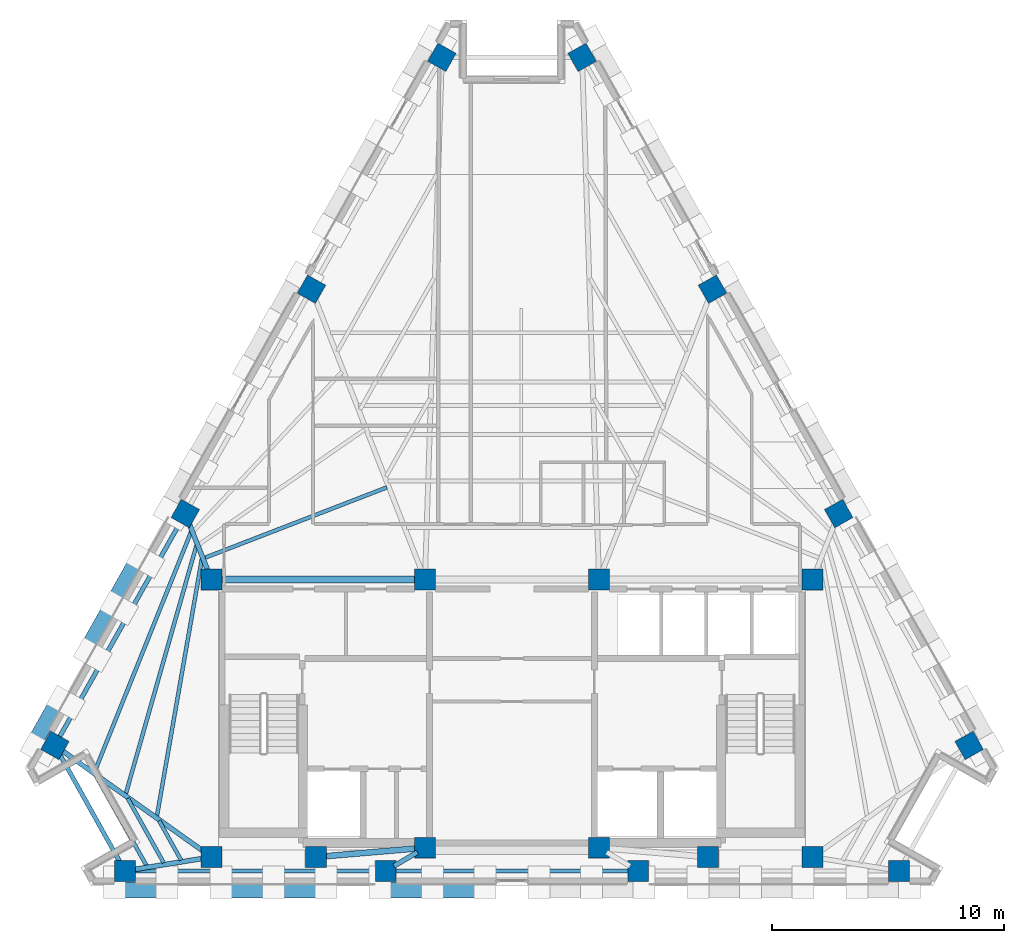
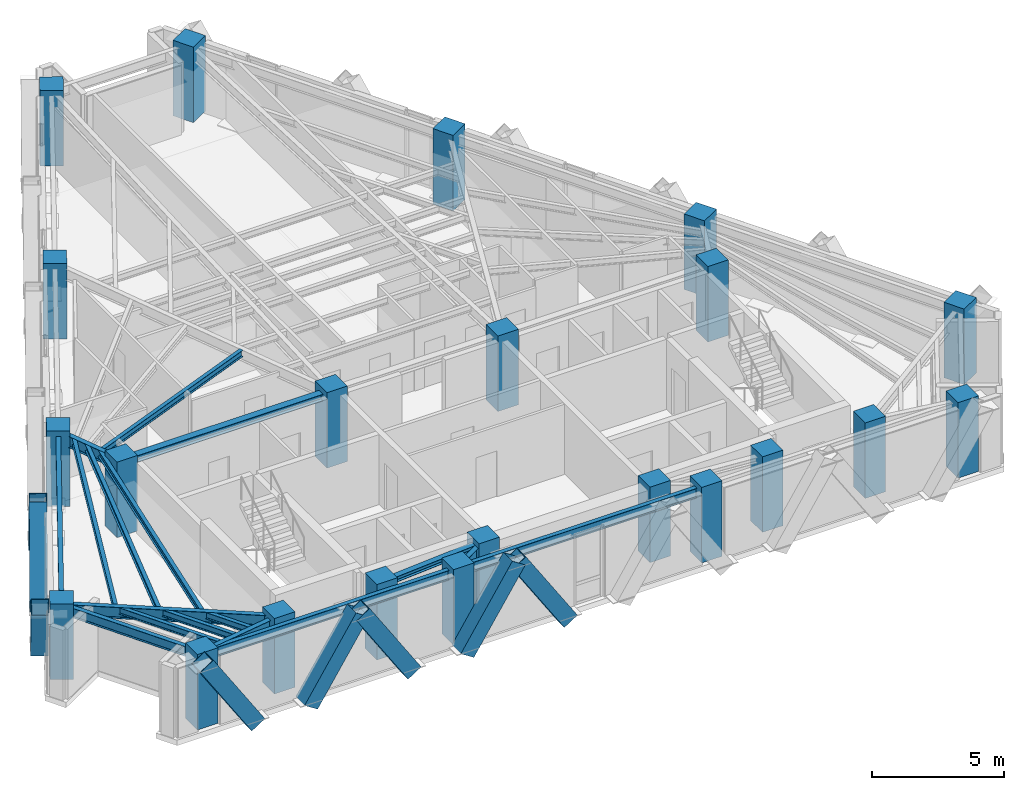
# One storey, part 1 of 12: 22 columns, 17 beams, 8 members.
"""IFC4 building model written with IfcOpenShell, lengths in metres."""

from ifc_helpers import new_model, si_unit, direction, frame, origin, origin_2d, place, context, subcontext, project, spatial, rectangle, hollow_rectangle, i_section, extrude, material, material_profile, profile_set, type_object, element, save


model = new_model("IFC4")

# Units and contexts
model_context = context("Model", 3, precision=1e-05, world=origin(), true_north=direction((0.0, 1.0)))
body_context = subcontext(model_context, "Body", "Model", "MODEL_VIEW")
ifc_project = project(units=[si_unit("LENGTHUNIT", "METRE"), si_unit("AREAUNIT", "SQUARE_METRE"), si_unit("VOLUMEUNIT", "CUBIC_METRE"), si_unit("PLANEANGLEUNIT", "RADIAN"), si_unit("MASSUNIT", "GRAM", prefix="KILO")], contexts=[model_context])

# Site, building, storey
site_placement = place(None, origin())
site = spatial("IfcSite", under=ifc_project, at=site_placement, CompositionType="ELEMENT")
building_placement = place(site_placement, origin())
building = spatial("IfcBuilding", under=site, at=building_placement, Name="Quenlor Broadcast Tower", CompositionType="ELEMENT")
storey_placement = place(building_placement, frame((0.0, 0.0, 218.39990234375)))
storey = spatial("IfcBuildingStorey", under=building, at=storey_placement, Name="L60", CompositionType="ELEMENT", Elevation=218.39990234375)

# Columns
ifc_material_1 = material(Name="Concrete C50/60", Category="concrete")
ifc_material_profile_1 = material_profile(ifc_material_1, rectangle(XDim=0.89990234375, YDim=0.89990234375, at=origin_2d()))
ifc_profile_set_1 = profile_set([ifc_material_profile_1], Name="Concrete C50/60 RC900x900")
column_type_1 = type_object("IfcColumnType", Name="Core Corner Column Upper Concrete C50/60 900", PredefinedType="COLUMN", material=ifc_profile_set_1)
for number, where, z_axis, x_axis, name in (
    (1, (-12.949951171875, -16.75, 0.0), (0.0, 0.0, 1.0), (1.0, 0.0, 0.0), "L60 Core Column CC1"),
    (2, (-8.449951171875, -16.75, 0.0), (0.0, 0.0, 1.0), (1.0, 0.0, 0.0), "L60 Core Column CC2"),
    (3, (-3.75, -16.35009765625, 0.0), (0.0, 0.0, 1.0), (1.0, 0.0, 0.0), "L60 Core Column CC3"),
    (4, (3.75, -16.35009765625, 0.0), (0.0, 0.0, 1.0), (1.0, 0.0, 0.0), "L60 Core Column CC4"),
    (5, (8.449951171875, -16.75, 0.0), (0.0, 0.0, 1.0), (1.0, 0.0, 0.0), "L60 Core Column CC5"),
    (6, (12.949951171875, -16.75, 0.0), (0.0, 0.0, 1.0), (1.0, 0.0, 0.0), "L60 Core Column CC6"),
    (7, (-12.949951171875, -4.800048828125, 0.0), (0.0, 0.0, 1.0), (1.0, 0.0, 0.0), "L60 Core Column CC7"),
    (8, (-3.75, -4.800048828125, 0.0), (0.0, 0.0, 1.0), (1.0, 0.0, 0.0), "L60 Core Column CC8"),
    (9, (3.75, -4.800048828125, 0.0), (0.0, 0.0, 1.0), (1.0, 0.0, 0.0), "L60 Core Column CC9"),
    (10, (12.949951171875, -4.800048828125, 0.0), (0.0, 0.0, 1.0), (1.0, 0.0, 0.0), "L60 Core Column CC10"),
):
    element("IfcColumn", number, at=place(storey_placement, frame(where, z_axis=z_axis, x_axis=x_axis)), inside=storey, type_object=column_type_1, Name=name, PredefinedType="COLUMN", context=body_context, shape_type="SweptSolid", body=[
        extrude(rectangle(XDim=0.89990234375, YDim=0.89990234375, at=origin_2d()), origin(), (0.0, 0.0, 1.0), 3.5),
    ])
ifc_material_2 = material(Name="Concrete C50/60", Category="concrete")
ifc_material_profile_2 = material_profile(ifc_material_2, rectangle(XDim=0.89990234375, YDim=0.89990234375, at=origin_2d()))
ifc_profile_set_2 = profile_set([ifc_material_profile_2], Name="Concrete C50/60 RC900x900")
column_type_2 = type_object("IfcColumnType", Name="Tower Perimeter Column Z4 Concrete C50/60 900", PredefinedType="COLUMN", material=ifc_profile_set_2)
for number, where, z_axis, x_axis, name in (
    (11, (-16.67578125, -17.35009765625, 0.0), (0.0, 0.0, 1.0), (0.0, 1.0, 0.0), "L60 Perimeter Column S1"),
    (12, (-5.437744140625, -17.35009765625, 0.0), (0.0, 0.0, 1.0), (0.0, 1.0, 0.0), "L60 Perimeter Column S2"),
    (13, (5.437744140625, -17.35009765625, 0.0), (0.0, 0.0, 1.0), (0.0, 1.0, 0.0), "L60 Perimeter Column S3"),
    (14, (16.67578125, -17.35009765625, 0.0), (0.0, 0.0, 1.0), (0.0, 1.0, 0.0), "L60 Perimeter Column S4"),
    (15, (19.696533203125, -11.941650390625, 0.0), (0.0, 0.0, 1.0), (0.871575139605, 0.490261946333, 0.0), "L60 Perimeter Column NE1"),
    (16, (14.077392578125, -1.952392578125, 0.0), (0.0, 0.0, 1.0), (0.871575139605, 0.490261946333, 0.0), "L60 Perimeter Column NE2"),
    (17, (8.6396484375, 7.71484375, 0.0), (0.0, 0.0, 1.0), (0.871575139605, 0.490261946333, 0.0), "L60 Perimeter Column NE3"),
    (18, (3.0205078125, 17.704345703125, 0.0), (0.0, 0.0, 1.0), (0.871575139605, 0.490261946333, 0.0), "L60 Perimeter Column NE4"),
    (19, (-3.0205078125, 17.704345703125, 0.0), (0.0, 0.0, 1.0), (-0.871575139605, 0.490261946333, 0.0), "L60 Perimeter Column NW1"),
    (20, (-8.6396484375, 7.71484375, 0.0), (0.0, 0.0, 1.0), (-0.871575139605, 0.490261946333, 0.0), "L60 Perimeter Column NW2"),
    (21, (-14.077392578125, -1.952392578125, 0.0), (0.0, 0.0, 1.0), (-0.871575139605, 0.490261946333, 0.0), "L60 Perimeter Column NW3"),
    (22, (-19.696533203125, -11.941650390625, 0.0), (0.0, 0.0, 1.0), (-0.871575139605, 0.490261946333, 0.0), "L60 Perimeter Column NW4"),
):
    element("IfcColumn", number, at=place(storey_placement, frame(where, z_axis=z_axis, x_axis=x_axis)), inside=storey, type_object=column_type_2, Name=name, PredefinedType="COLUMN", context=body_context, shape_type="SweptSolid", body=[
        extrude(rectangle(XDim=0.89990234375, YDim=0.89990234375, at=origin_2d()), origin(), (0.0, 0.0, 1.0), 3.5),
    ])

# Beams
ifc_material_3 = material(Name="Steel S355", Category="steel")
ifc_material_profile_3 = material_profile(ifc_material_3, i_section(OverallWidth=0.25390625, OverallDepth=0.25390625, WebThickness=0.008544921875, FlangeThickness=0.01416015625, FilletRadius=0.013916015625, at=origin_2d()))
ifc_profile_set_3 = profile_set([ifc_material_profile_3], Name="Steel S355 250UC72.9")
beam_type_1 = type_object("IfcBeamType", Name="Core Opening Lintel Beam Steel S355 250UC72.9", PredefinedType="LINTEL", material=ifc_profile_set_3)
beam_1_placement = place(storey_placement, frame((-8.09130859375, -16.719482421875, 3.123291015625), z_axis=(0.996399763903, 0.084779186679, 0.0), x_axis=(-0.084779186679, 0.996399763903, 0.0)))
element("IfcBeam", 23, at=beam_1_placement, inside=storey, type_object=beam_type_1, Name="L60 Core Opening Lintel Beam 4", PredefinedType="LINTEL", context=body_context, shape_type="SweptSolid", body=[
    extrude(i_section(OverallWidth=0.25390625, OverallDepth=0.25390625, WebThickness=0.008544921875, FlangeThickness=0.01416015625, FilletRadius=0.013916015625, at=origin_2d()), origin(), (0.0, 0.0, 1.0), 3.9970703125),
])
ifc_material_4 = material(Name="Steel S355", Category="steel")
ifc_material_profile_4 = material_profile(ifc_material_4, i_section(OverallWidth=0.306884765625, OverallDepth=0.314697265625, WebThickness=0.011962890625, FlangeThickness=0.018798828125, FilletRadius=0.0166015625, at=origin_2d()))
ifc_profile_set_4 = profile_set([ifc_material_profile_4], Name="Steel S355 310UC118")
beam_type_2 = type_object("IfcBeamType", Name="Core Tie Beam Steel S355 310UC118", PredefinedType="BEAM", material=ifc_profile_set_4)
beam_2_placement = place(storey_placement, frame((-12.590087890625, -4.800048828125, 3.0927734375), z_axis=(1.0, 0.0, 0.0), x_axis=(0.0, 1.0, 0.0)))
element("IfcBeam", 24, at=beam_2_placement, inside=storey, type_object=beam_type_2, Name="L60 Core Tie Beam 1", PredefinedType="BEAM", context=body_context, shape_type="SweptSolid", body=[
    extrude(i_section(OverallWidth=0.306884765625, OverallDepth=0.314697265625, WebThickness=0.011962890625, FlangeThickness=0.018798828125, FilletRadius=0.0166015625, at=origin_2d()), origin(), (0.0, 0.0, 1.0), 8.47998046875),
])

# Members
ifc_material_5 = material(Name="Steel S355", Category="steel")
ifc_material_profile_5 = material_profile(ifc_material_5, hollow_rectangle(XDim=0.679931640625, YDim=0.679931640625, WallThickness=0.02490234375, at=origin_2d()))
ifc_profile_set_5 = profile_set([ifc_material_profile_5], Name="Steel S355 RHS680x680x25")
member_type = type_object("IfcMemberType", Name="Perimeter Diagonal Lattice Brace Z3-Z4 Steel S355 RHS680x25", PredefinedType="BRACE", material=ifc_profile_set_5)
for number, where, z_axis, x_axis, name in (
    (25, (-1.155517578125, -18.169921875, -0.119873046875), (-0.541794306908, 0.0, 0.840511111766), (0.0, -1.0, 0.0), "L60 Perimeter Diamond Lattice S-C3S"),
    (26, (-8.005859375, -18.169921875, -0.119873046875), (-0.541794306908, 0.0, 0.840511111766), (0.0, -1.0, 0.0), "L60 Perimeter Diamond Lattice S-C4S"),
    (27, (-5.695068359375, -18.169921875, -0.119873046875), (0.541794306908, 0.0, 0.840511111766), (0.0, 1.0, 0.0), "L60 Perimeter Diamond Lattice S-C4B"),
    (28, (-14.856201171875, -18.169921875, -0.119873046875), (-0.541794306908, 0.0, 0.840511111766), (0.0, -1.0, 0.0), "L60 Perimeter Diamond Lattice S-C5S"),
    (29, (-12.54541015625, -18.169921875, -0.119873046875), (0.541794306908, 0.0, 0.840511111766), (0.0, 1.0, 0.0), "L60 Perimeter Diamond Lattice S-C5B"),
):
    element("IfcMember", number, at=place(storey_placement, frame(where, z_axis=z_axis, x_axis=x_axis)), inside=storey, type_object=member_type, Name=name, PredefinedType="BRACE", context=body_context, shape_type="SweptSolid", body=[
        extrude(hollow_rectangle(XDim=0.679931640625, YDim=0.679931640625, WallThickness=0.02490234375, at=origin_2d()), origin(), (0.0, 0.0, 1.0), 4.1640625),
    ])
member_placement = place(storey_placement, frame((-18.35302734375, -7.880859375, -0.119873046875), z_axis=(0.269539530269, 0.479181387144, 0.835304519224), x_axis=(-0.871575537125, 0.490261239633, 0.0)))
element("IfcMember", 30, at=member_placement, inside=storey, type_object=member_type, Name="L60 Perimeter Diamond Lattice NW-C1S", PredefinedType="BRACE", context=body_context, shape_type="SweptSolid", body=[
    extrude(hollow_rectangle(XDim=0.679931640625, YDim=0.679931640625, WallThickness=0.02490234375, at=origin_2d()), origin(), (0.0, 0.0, 1.0), 4.190185546875),
])
for number, where, z_axis, x_axis, name in (
    (31, (-19.509765625, -9.937255859375, -0.119873046875), (-0.269547055694, -0.479136497832, 0.835327840559), (0.871550060774, -0.49030652817, 0.0), "L60 Perimeter Diamond Lattice NW-C1B"),
    (32, (-16.08056640625, -3.841064453125, -0.119873046875), (-0.269547055694, -0.479136497832, 0.835327840559), (0.871550060774, -0.49030652817, 0.0), "L60 Perimeter Diamond Lattice NW-C2B"),
):
    element("IfcMember", number, at=place(storey_placement, frame(where, z_axis=z_axis, x_axis=x_axis)), inside=storey, type_object=member_type, Name=name, PredefinedType="BRACE", context=body_context, shape_type="SweptSolid", body=[
        extrude(hollow_rectangle(XDim=0.679931640625, YDim=0.679931640625, WallThickness=0.02490234375, at=origin_2d()), origin(), (0.0, 0.0, 1.0), 4.18994140625),
    ])

# Beams
ifc_material_6 = material(Name="Steel S355", Category="steel")
ifc_material_profile_6 = material_profile(ifc_material_6, i_section(OverallWidth=0.18994140625, OverallDepth=0.453857421875, WebThickness=0.008544921875, FlangeThickness=0.0126953125, FilletRadius=0.011474609375, at=origin_2d()))
ifc_profile_set_6 = profile_set([ifc_material_profile_6], Name="Steel S355 460UB67.1")
beam_type_3 = type_object("IfcBeamType", Name="Perimeter Spandrel Beam Z4 Steel S355 460UB67.1", PredefinedType="SPANDREL", material=ifc_profile_set_6)
beam_3_placement = place(storey_placement, frame((-16.265869140625, -17.35009765625, 3.023193359375), z_axis=(1.0, 0.0, 0.0), x_axis=(0.0, 1.0, 0.0)))
element("IfcBeam", 33, at=beam_3_placement, inside=storey, type_object=beam_type_3, Name="L60 Spandrel Beam S1-S2", PredefinedType="SPANDREL", context=body_context, shape_type="SweptSolid", body=[
    extrude(i_section(OverallWidth=0.18994140625, OverallDepth=0.453857421875, WebThickness=0.008544921875, FlangeThickness=0.0126953125, FilletRadius=0.011474609375, at=origin_2d()), origin(), (0.0, 0.0, 1.0), 10.41796875),
])
beam_4_placement = place(storey_placement, frame((-5.02783203125, -17.35009765625, 3.023193359375), z_axis=(1.0, 0.0, 0.0), x_axis=(0.0, 1.0, 0.0)))
element("IfcBeam", 34, at=beam_4_placement, inside=storey, type_object=beam_type_3, Name="L60 Spandrel Beam S2-S3", PredefinedType="SPANDREL", context=body_context, shape_type="SweptSolid", body=[
    extrude(i_section(OverallWidth=0.18994140625, OverallDepth=0.453857421875, WebThickness=0.008544921875, FlangeThickness=0.0126953125, FilletRadius=0.011474609375, at=origin_2d()), origin(), (0.0, 0.0, 1.0), 10.0556640625),
])
beam_5_placement = place(storey_placement, frame((-14.2783203125, -2.3095703125, 3.023193359375), z_axis=(-0.490272131974, -0.871569410093, 0.0), x_axis=(0.871569410093, -0.490272131974, 0.0)))
element("IfcBeam", 35, at=beam_5_placement, inside=storey, type_object=beam_type_3, Name="L60 Spandrel Beam NW3-NW4", PredefinedType="SPANDREL", context=body_context, shape_type="SweptSolid", body=[
    extrude(i_section(OverallWidth=0.18994140625, OverallDepth=0.453857421875, WebThickness=0.008544921875, FlangeThickness=0.0126953125, FilletRadius=0.011474609375, at=origin_2d()), origin(), (0.0, 0.0, 1.0), 10.6416015625),
])
beam_6_placement = place(storey_placement, frame((-19.49658203125, -12.2998046875, 3.023193359375), z_axis=(0.487647250206, -0.8730407547, 0.0), x_axis=(0.8730407547, 0.487647250206, 0.0)))
element("IfcBeam", 36, at=beam_6_placement, inside=storey, type_object=beam_type_3, Name="L60 Spandrel Beam NW4-S1", PredefinedType="SPANDREL", context=body_context, shape_type="SweptSolid", body=[
    extrude(i_section(OverallWidth=0.18994140625, OverallDepth=0.453857421875, WebThickness=0.008544921875, FlangeThickness=0.0126953125, FilletRadius=0.011474609375, at=origin_2d()), origin(), (0.0, 0.0, 1.0), 5.37451171875),
])
ifc_material_7 = material(Name="Steel S355", Category="steel")
ifc_material_profile_7 = material_profile(ifc_material_7, i_section(OverallWidth=0.166015625, OverallDepth=0.30712890625, WebThickness=0.006591796875, FlangeThickness=0.01171875, FilletRadius=0.011474609375, at=origin_2d()))
ifc_profile_set_7 = profile_set([ifc_material_profile_7], Name="Steel S355 310UB46.2")
beam_type_4 = type_object("IfcBeamType", Name="Tower Composite Joist Z4-Z5 Steel S355 310UB46.2", PredefinedType="JOIST", material=ifc_profile_set_7)
beam_7_placement = place(storey_placement, frame((-13.236083984375, -3.85986328125, 3.096435546875), z_axis=(0.932639299023, 0.360810113381, 0.0), x_axis=(-0.360810113381, 0.932639299023, 0.0)))
element("IfcBeam", 37, at=beam_7_placement, inside=storey, type_object=beam_type_4, Name="L60 Secondary Composite Joist 7", PredefinedType="JOIST", context=body_context, shape_type="SweptSolid", body=[
    extrude(i_section(OverallWidth=0.166015625, OverallDepth=0.30712890625, WebThickness=0.006591796875, FlangeThickness=0.01171875, FilletRadius=0.011474609375, at=origin_2d()), origin(), (0.0, 0.0, 1.0), 8.413330078125),
])
beam_8_placement = place(storey_placement, frame((-15.297607421875, -14.98828125, 3.096435546875), z_axis=(0.172003691938, 0.985096304916, 0.0), x_axis=(-0.985096304916, 0.172003691938, 0.0)))
element("IfcBeam", 38, at=beam_8_placement, inside=storey, type_object=beam_type_4, Name="L60 Secondary Composite Joist 13", PredefinedType="JOIST", context=body_context, shape_type="SweptSolid", body=[
    extrude(i_section(OverallWidth=0.166015625, OverallDepth=0.30712890625, WebThickness=0.006591796875, FlangeThickness=0.01171875, FilletRadius=0.011474609375, at=origin_2d()), origin(), (0.0, 0.0, 1.0), 11.274169921875),
])
beam_9_placement = place(storey_placement, frame((-16.638671875, -14.028564453125, 3.096435546875), z_axis=(0.273447576454, 0.961886907558, 0.0), x_axis=(-0.961886907558, 0.273447576454, 0.0)))
element("IfcBeam", 39, at=beam_9_placement, inside=storey, type_object=beam_type_4, Name="L60 Secondary Composite Joist 14", PredefinedType="JOIST", context=body_context, shape_type="SweptSolid", body=[
    extrude(i_section(OverallWidth=0.166015625, OverallDepth=0.30712890625, WebThickness=0.006591796875, FlangeThickness=0.01171875, FilletRadius=0.011474609375, at=origin_2d()), origin(), (0.0, 0.0, 1.0), 11.142333984375),
])
beam_10_placement = place(storey_placement, frame((-17.97998046875, -13.069580078125, 3.096435546875), z_axis=(0.373094895103, 0.927793187757, 0.0), x_axis=(-0.927793187757, 0.373094895103, 0.0)))
element("IfcBeam", 40, at=beam_10_placement, inside=storey, type_object=beam_type_4, Name="L60 Secondary Composite Joist 15", PredefinedType="JOIST", context=body_context, shape_type="SweptSolid", body=[
    extrude(i_section(OverallWidth=0.166015625, OverallDepth=0.30712890625, WebThickness=0.006591796875, FlangeThickness=0.01171875, FilletRadius=0.011474609375, at=origin_2d()), origin(), (0.0, 0.0, 1.0), 11.13525390625),
])
beam_11_placement = place(storey_placement, frame((-14.255859375, -16.88427734375, 3.096435546875), z_axis=(-0.487590799665, 0.873072283423, 0.0), x_axis=(-0.873072283423, -0.487590799665, 0.0)))
element("IfcBeam", 41, at=beam_11_placement, inside=storey, type_object=beam_type_4, Name="L60 Secondary Composite Joist 19", PredefinedType="JOIST", context=body_context, shape_type="SweptSolid", body=[
    extrude(i_section(OverallWidth=0.166015625, OverallDepth=0.30712890625, WebThickness=0.006591796875, FlangeThickness=0.01171875, FilletRadius=0.011474609375, at=origin_2d()), origin(), (0.0, 0.0, 1.0), 1.9462890625),
])
beam_12_placement = place(storey_placement, frame((-15.0009765625, -17.004150390625, 3.096435546875), z_axis=(-0.487646119388, 0.87304138633, 0.0), x_axis=(-0.87304138633, -0.487646119388, 0.0)))
element("IfcBeam", 42, at=beam_12_placement, inside=storey, type_object=beam_type_4, Name="L60 Secondary Composite Joist 20", PredefinedType="JOIST", context=body_context, shape_type="SweptSolid", body=[
    extrude(i_section(OverallWidth=0.166015625, OverallDepth=0.30712890625, WebThickness=0.006591796875, FlangeThickness=0.01171875, FilletRadius=0.011474609375, at=origin_2d()), origin(), (0.0, 0.0, 1.0), 3.18505859375),
])
beam_13_placement = place(storey_placement, frame((-15.74609375, -17.124267578125, 3.096435546875), z_axis=(-0.487604899573, 0.873064408799, 0.0), x_axis=(-0.873064408799, -0.487604899573, 0.0)))
element("IfcBeam", 43, at=beam_13_placement, inside=storey, type_object=beam_type_4, Name="L60 Secondary Composite Joist 21", PredefinedType="JOIST", context=body_context, shape_type="SweptSolid", body=[
    extrude(i_section(OverallWidth=0.166015625, OverallDepth=0.30712890625, WebThickness=0.006591796875, FlangeThickness=0.01171875, FilletRadius=0.011474609375, at=origin_2d()), origin(), (0.0, 0.0, 1.0), 4.424072265625),
])
ifc_material_8 = material(Name="Steel S355", Category="steel")
ifc_material_profile_8 = material_profile(ifc_material_8, i_section(OverallWidth=0.208984375, OverallDepth=0.5283203125, WebThickness=0.009521484375, FlangeThickness=0.01318359375, FilletRadius=0.013916015625, at=origin_2d()))
ifc_profile_set_8 = profile_set([ifc_material_profile_8], Name="Steel S355 530UB82.0")
beam_type_5 = type_object("IfcBeamType", Name="Tower Primary Floor Beam Z4 Steel S355 530UB82.0", PredefinedType="BEAM", material=ifc_profile_set_8)
beam_14_placement = place(storey_placement, frame((-16.27099609375, -17.284912109375, 2.986083984375), z_axis=(0.987268490875, 0.159062650942, 0.0), x_axis=(-0.159062650942, 0.987268490875, 0.0)))
element("IfcBeam", 44, at=beam_14_placement, inside=storey, type_object=beam_type_5, Name="L60 Primary Radial Beam S1", PredefinedType="BEAM", context=body_context, shape_type="SweptSolid", body=[
    extrude(i_section(OverallWidth=0.208984375, OverallDepth=0.5283203125, WebThickness=0.009521484375, FlangeThickness=0.01318359375, FilletRadius=0.013916015625, at=origin_2d()), origin(), (0.0, 0.0, 1.0), 2.98388671875),
])
beam_15_placement = place(storey_placement, frame((-5.085205078125, -17.14111328125, 2.986083984375), z_axis=(0.86032875258, 0.509739578102, 0.0), x_axis=(-0.509739578102, 0.86032875258, 0.0)))
element("IfcBeam", 45, at=beam_15_placement, inside=storey, type_object=beam_type_5, Name="L60 Primary Radial Beam S2", PredefinedType="BEAM", context=body_context, shape_type="SweptSolid", body=[
    extrude(i_section(OverallWidth=0.208984375, OverallDepth=0.5283203125, WebThickness=0.009521484375, FlangeThickness=0.01318359375, FilletRadius=0.013916015625, at=origin_2d()), origin(), (0.0, 0.0, 1.0), 1.171875),
])
beam_16_placement = place(storey_placement, frame((-13.926513671875, -2.33349609375, 2.986083984375), z_axis=(0.368110359783, -0.92978210513, 0.0), x_axis=(0.92978210513, 0.368110359783, 0.0)))
element("IfcBeam", 46, at=beam_16_placement, inside=storey, type_object=beam_type_5, Name="L60 Primary Radial Beam NW3", PredefinedType="BEAM", context=body_context, shape_type="SweptSolid", body=[
    extrude(i_section(OverallWidth=0.208984375, OverallDepth=0.5283203125, WebThickness=0.009521484375, FlangeThickness=0.01318359375, FilletRadius=0.013916015625, at=origin_2d()), origin(), (0.0, 0.0, 1.0), 2.27294921875),
])
beam_17_placement = place(storey_placement, frame((-19.362548828125, -12.1796875, 2.986083984375), z_axis=(0.814329531787, -0.580402802938, 0.0), x_axis=(0.580402802938, 0.814329531787, 0.0)))
element("IfcBeam", 47, at=beam_17_placement, inside=storey, type_object=beam_type_5, Name="L60 Primary Radial Beam NW4", PredefinedType="BEAM", context=body_context, shape_type="SweptSolid", body=[
    extrude(i_section(OverallWidth=0.208984375, OverallDepth=0.5283203125, WebThickness=0.009521484375, FlangeThickness=0.01318359375, FilletRadius=0.013916015625, at=origin_2d()), origin(), (0.0, 0.0, 1.0), 7.49462890625),
])

save(model, "model.ifc")
